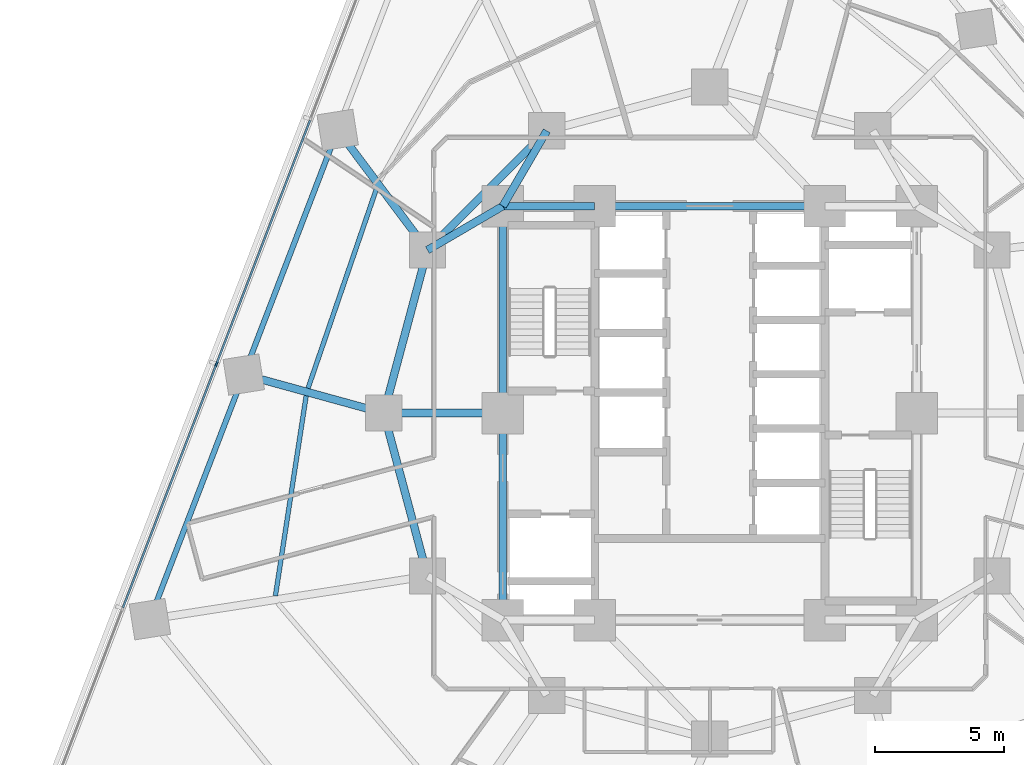
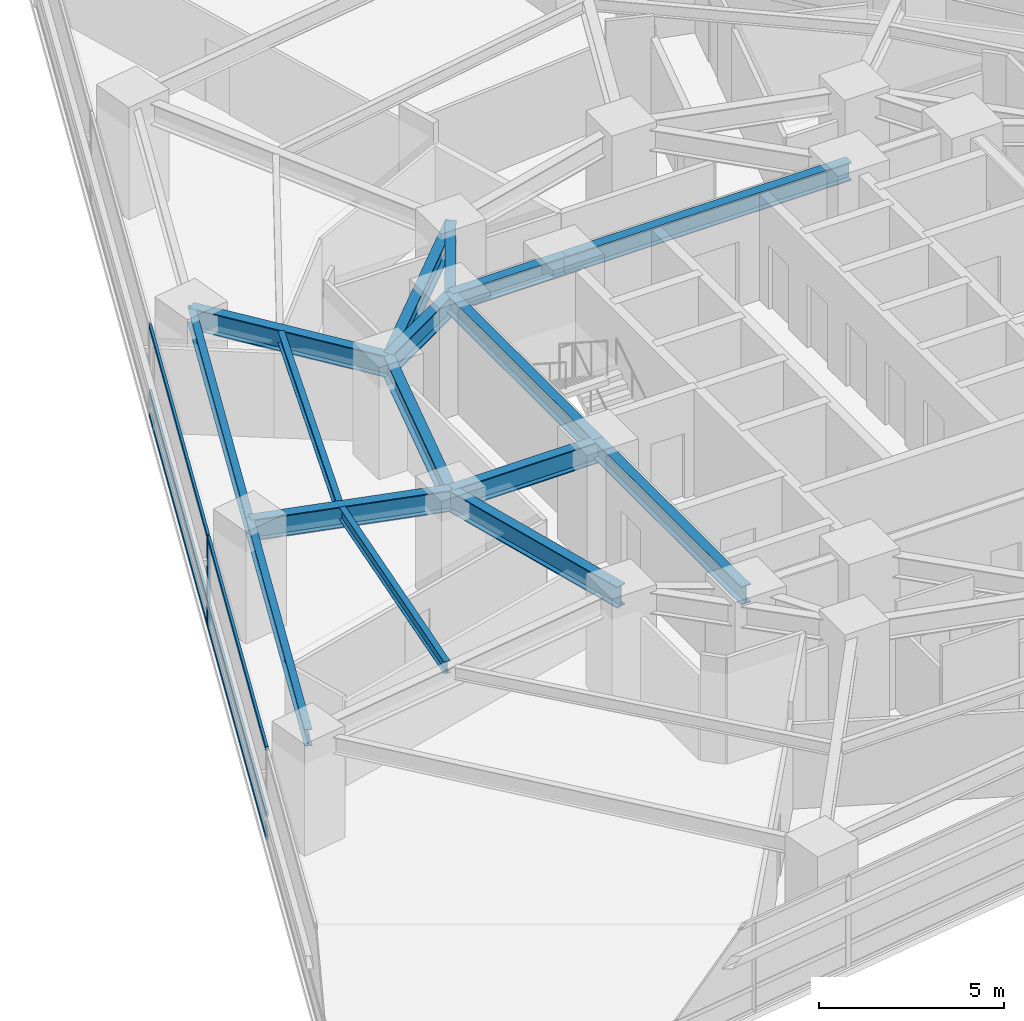
# One storey, part 3 of 13: 16 beams, 7 members, 1 element without a shape of its own.
"""IFC4 building model written with IfcOpenShell, lengths in metres."""

from ifc_helpers import new_model, si_unit, direction, frame, origin, origin_2d, place, context, subcontext, project, spatial, rectangle, i_section, extrude, material, layer, layer_set, material_profile, profile_set, type_object, element, aggregate, save


model = new_model("IFC4")

# Units and contexts
model_context = context("Model", 3, precision=1e-05, world=origin(), true_north=direction((0.0, 1.0)))
body_context = subcontext(model_context, "Body", "Model", "MODEL_VIEW")
ifc_project = project(units=[si_unit("LENGTHUNIT", "METRE"), si_unit("AREAUNIT", "SQUARE_METRE"), si_unit("VOLUMEUNIT", "CUBIC_METRE"), si_unit("PLANEANGLEUNIT", "RADIAN"), si_unit("MASSUNIT", "GRAM", prefix="KILO")], contexts=[model_context])

# Site, building, storey
site_placement = place(None, origin())
site = spatial("IfcSite", under=ifc_project, at=site_placement, CompositionType="ELEMENT")
building_placement = place(site_placement, origin())
building = spatial("IfcBuilding", under=site, at=building_placement, Name="Terralouvre Media Tower", CompositionType="ELEMENT")
storey_placement = place(building_placement, frame((0.0, 0.0, 59.300048828125)))
storey = spatial("IfcBuildingStorey", under=building, at=storey_placement, Name="L14", CompositionType="ELEMENT", Elevation=59.300048828125)

# Beams
ifc_material_1 = material(Name="Structural steel S355J2", Category="steel")
ifc_material_profile_1 = material_profile(ifc_material_1, i_section(OverallWidth=0.179931640625, OverallDepth=0.39990234375, WebThickness=0.008544921875, FlangeThickness=0.013427734375, at=origin_2d()), Name="IPE 400")
ifc_profile_set_1 = profile_set([ifc_material_profile_1], Name="Structural steel S355J2")
beam_type_1 = type_object("IfcBeamType", Name="Composite Floor Joist J-IPE400 (IPE 400)", PredefinedType="JOIST", material=ifc_profile_set_1)
beam_1_placement = place(storey_placement, frame((-12.87841796875, 8.684814453125, 3.300048828125), z_axis=(-0.324414525055, -0.945915015175, 0.0), x_axis=(0.945915015175, -0.324414525055, 0.0)))
element("IfcBeam", 1, at=beam_1_placement, inside=storey, type_object=beam_type_1, Name="L14 Framing Beam JT-L14-11", PredefinedType="JOIST", context=body_context, shape_type="SweptSolid", body=[
    extrude(i_section(OverallWidth=0.179931640625, OverallDepth=0.39990234375, WebThickness=0.008544921875, FlangeThickness=0.013427734375, at=origin_2d()), origin(), (0.0, 0.0, 1.0), 8.165283203125),
])
beam_2_placement = place(storey_placement, frame((-15.598876953125, 0.6708984375, 3.300048828125), z_axis=(-0.152106420826, -0.988364121538, 0.0), x_axis=(0.988364121538, -0.152106420826, 0.0)))
element("IfcBeam", 2, at=beam_2_placement, inside=storey, type_object=beam_type_1, Name="L14 Framing Beam JT-L14-12", PredefinedType="JOIST", context=body_context, shape_type="SweptSolid", body=[
    extrude(i_section(OverallWidth=0.179931640625, OverallDepth=0.39990234375, WebThickness=0.008544921875, FlangeThickness=0.013427734375, at=origin_2d()), origin(), (0.0, 0.0, 1.0), 7.82470703125),
])

# Curtain wall, members
ifc_material_2 = material(Name="Low-iron laminated double glazing with solar-control coating", Category="glass")
ifc_layer = layer(ifc_material_2, 0.1650390625, Name="Lower Media Tower Unitised Curtain Wall CW-02")
ifc_layer_set = layer_set([ifc_layer], Name="Low-iron laminated double glazing with solar-control coating")
curtain_wall_type = type_object("IfcCurtainWallType", Name="Lower Media Tower Unitised Curtain Wall CW-02", PredefinedType="NOTDEFINED", material=ifc_layer_set)
curtain_wall_placement = place(storey_placement, origin())
curtain_wall = element("IfcCurtainWall", 3, at=curtain_wall_placement, inside=storey, type_object=curtain_wall_type, Name="L14 Facade Curtain Wall F2", PredefinedType="NOTDEFINED")
ifc_material_3 = material(Name="Anodised extruded aluminium 6063-T6", Category="aluminium")
ifc_material_profile_2 = material_profile(ifc_material_3, rectangle(XDim=0.074951171875, YDim=0.14990234375, at=origin_2d()), Name="ALU 75x150")
ifc_profile_set_2 = profile_set([ifc_material_profile_2], Name="Anodised extruded aluminium 6063-T6")
member_type_1 = type_object("IfcMemberType", Name="Curtain-Wall Horizontal Transom TR-150", PredefinedType="USERDEFINED", material=ifc_profile_set_2)
member_1_placement = place(storey_placement, frame((-15.449951171875, 11.314697265625, 0.037353515625), z_axis=(-0.358357340084, -0.933584499019, 0.0), x_axis=(0.933584499019, -0.358357340084, 0.0)))
member_1 = element("IfcMember", 4, at=member_1_placement, type_object=member_type_1, Name="CW-02 transom 3.1", ObjectType="TRANSOM", PredefinedType="USERDEFINED", context=body_context, shape_type="SweptSolid", body=[
    extrude(rectangle(XDim=0.074951171875, YDim=0.14990234375, at=origin_2d()), origin(), (0.0, 0.0, 1.0), 10.052978515625),
])
member_2_placement = place(storey_placement, frame((-15.449951171875, 11.314697265625, 0.800048828125), z_axis=(-0.358357340084, -0.933584499019, 0.0), x_axis=(0.933584499019, -0.358357340084, 0.0)))
member_2 = element("IfcMember", 5, at=member_2_placement, type_object=member_type_1, Name="CW-02 transom 3.2", ObjectType="TRANSOM", PredefinedType="USERDEFINED", context=body_context, shape_type="SweptSolid", body=[
    extrude(rectangle(XDim=0.074951171875, YDim=0.14990234375, at=origin_2d()), origin(), (0.0, 0.0, 1.0), 10.052978515625),
])
member_3_placement = place(storey_placement, frame((-15.449951171875, 11.314697265625, 2.96240234375), z_axis=(-0.358357340084, -0.933584499019, 0.0), x_axis=(0.933584499019, -0.358357340084, 0.0)))
member_3 = element("IfcMember", 6, at=member_3_placement, type_object=member_type_1, Name="CW-02 transom 3.3", ObjectType="TRANSOM", PredefinedType="USERDEFINED", context=body_context, shape_type="SweptSolid", body=[
    extrude(rectangle(XDim=0.074951171875, YDim=0.14990234375, at=origin_2d()), origin(), (0.0, 0.0, 1.0), 10.052978515625),
])
member_4_placement = place(storey_placement, frame((-19.079345703125, 1.859375, 0.037353515625), z_axis=(-0.358378506594, -0.933576373957, 0.0), x_axis=(0.933576373957, -0.358378506594, 0.0)))
member_4 = element("IfcMember", 7, at=member_4_placement, type_object=member_type_1, Name="CW-02 transom 4.1", ObjectType="TRANSOM", PredefinedType="USERDEFINED", context=body_context, shape_type="SweptSolid", body=[
    extrude(rectangle(XDim=0.074951171875, YDim=0.14990234375, at=origin_2d()), origin(), (0.0, 0.0, 1.0), 10.052978515625),
])
member_5_placement = place(storey_placement, frame((-19.079345703125, 1.859375, 0.800048828125), z_axis=(-0.358378506594, -0.933576373957, 0.0), x_axis=(0.933576373957, -0.358378506594, 0.0)))
member_5 = element("IfcMember", 8, at=member_5_placement, type_object=member_type_1, Name="CW-02 transom 4.2", ObjectType="TRANSOM", PredefinedType="USERDEFINED", context=body_context, shape_type="SweptSolid", body=[
    extrude(rectangle(XDim=0.074951171875, YDim=0.14990234375, at=origin_2d()), origin(), (0.0, 0.0, 1.0), 10.052978515625),
])
member_6_placement = place(storey_placement, frame((-19.079345703125, 1.859375, 2.96240234375), z_axis=(-0.358378506594, -0.933576373957, 0.0), x_axis=(0.933576373957, -0.358378506594, 0.0)))
member_6 = element("IfcMember", 9, at=member_6_placement, type_object=member_type_1, Name="CW-02 transom 4.3", ObjectType="TRANSOM", PredefinedType="USERDEFINED", context=body_context, shape_type="SweptSolid", body=[
    extrude(rectangle(XDim=0.074951171875, YDim=0.14990234375, at=origin_2d()), origin(), (0.0, 0.0, 1.0), 10.052978515625),
])
ifc_material_4 = material(Name="Anodised extruded aluminium 6063-T6", Category="aluminium")
ifc_material_profile_3 = material_profile(ifc_material_4, rectangle(XDim=0.074951171875, YDim=0.179931640625, at=origin_2d()), Name="ALU 75x180")
ifc_profile_set_3 = profile_set([ifc_material_profile_3], Name="Anodised extruded aluminium 6063-T6")
member_type_2 = type_object("IfcMemberType", Name="Curtain-Wall Vertical Mullion ML-180", PredefinedType="MULLION", material=ifc_profile_set_3)
member_7_placement = place(storey_placement, frame((-19.06591796875, 1.89453125, 0.0), z_axis=(0.0, 0.0, 1.0), x_axis=(0.933580438988, -0.358367917006, 0.0)))
member_7 = element("IfcMember", 10, at=member_7_placement, type_object=member_type_2, Name="CW-02 mullion 4", PredefinedType="MULLION", context=body_context, shape_type="SweptSolid", body=[
    extrude(rectangle(XDim=0.074951171875, YDim=0.179931640625, at=origin_2d()), origin(), (0.0, 0.0, 1.0), 3.0),
])
aggregate(curtain_wall, [member_7, member_1, member_2, member_3, member_4, member_5, member_6])

# Beams
ifc_material_5 = material(Name="Structural steel S355J2", Category="steel")
ifc_material_profile_4 = material_profile(ifc_material_5, i_section(OverallWidth=0.2099609375, OverallDepth=0.550048828125, WebThickness=0.010986328125, FlangeThickness=0.01708984375, at=origin_2d()), Name="IPE 550")
ifc_profile_set_4 = profile_set([ifc_material_profile_4], Name="Structural steel S355J2")
beam_type_2 = type_object("IfcBeamType", Name="Perimeter Spandrel Beam SPB-550 (IPE 550)", PredefinedType="SPANDREL", material=ifc_profile_set_4)
for number, where, z_axis, x_axis, name in (
    (11, (-14.38134765625, 10.94482421875, 3.224853515625), (-0.358374878229, -0.933577766795, 0.0), (0.933577766795, -0.358374878229, 0.0), "L14 Framing Beam BM-L14-PR11"),
    (12, (-18.010986328125, 1.489501953125, 3.224853515625), (-0.358374878229, -0.933577766795, 0.0), (0.933577766795, -0.358374878229, 0.0), "L14 Framing Beam BM-L14-PR12"),
):
    element("IfcBeam", number, at=place(storey_placement, frame(where, z_axis=z_axis, x_axis=x_axis)), inside=storey, type_object=beam_type_2, Name=name, PredefinedType="SPANDREL", context=body_context, shape_type="SweptSolid", body=[
        extrude(i_section(OverallWidth=0.2099609375, OverallDepth=0.550048828125, WebThickness=0.010986328125, FlangeThickness=0.01708984375, at=origin_2d()), origin(), (0.0, 0.0, 1.0), 10.1279296875),
    ])
ifc_material_6 = material(Name="Structural steel S460M", Category="steel")
ifc_material_profile_5 = material_profile(ifc_material_6, i_section(OverallWidth=0.300048828125, OverallDepth=0.60009765625, WebThickness=0.015380859375, FlangeThickness=0.030029296875, at=origin_2d()), Name="HEB 600")
ifc_profile_set_5 = profile_set([ifc_material_profile_5], Name="Structural steel S460M")
beam_type_3 = type_object("IfcBeamType", Name="Primary Floor Girder B-HEB600 (HEB 600)", PredefinedType="BEAM", material=ifc_profile_set_5)
beam_3_placement = place(storey_placement, frame((4.449951171875, 8.0, 3.199951171875), z_axis=(-1.0, 0.0, 0.0), x_axis=(0.0, -1.0, 0.0)))
element("IfcBeam", 13, at=beam_3_placement, inside=storey, type_object=beam_type_3, Name="L14 Framing Beam BM-L14-CPR07", PredefinedType="BEAM", context=body_context, shape_type="SweptSolid", body=[
    extrude(i_section(OverallWidth=0.300048828125, OverallDepth=0.60009765625, WebThickness=0.015380859375, FlangeThickness=0.030029296875, at=origin_2d()), origin(), (0.0, 0.0, 1.0), 8.89990234375),
])
beam_4_placement = place(storey_placement, frame((-4.449951171875, 8.0, 3.199951171875), z_axis=(-1.0, 0.0, 0.0), x_axis=(0.0, -1.0, 0.0)))
element("IfcBeam", 14, at=beam_4_placement, inside=storey, type_object=beam_type_3, Name="L14 Framing Beam BM-L14-CPR08", PredefinedType="BEAM", context=body_context, shape_type="SweptSolid", body=[
    extrude(i_section(OverallWidth=0.300048828125, OverallDepth=0.60009765625, WebThickness=0.015380859375, FlangeThickness=0.030029296875, at=origin_2d()), origin(), (0.0, 0.0, 1.0), 3.550048828125),
])
for number, where, z_axis, x_axis, name in (
    (15, (-8.0, 8.0, 3.199951171875), (0.0, -1.0, 0.0), (1.0, 0.0, 0.0), "L14 Framing Beam BM-L14-CPR09"),
    (16, (-8.0, 0.0, 3.199951171875), (0.0, -1.0, 0.0), (1.0, 0.0, 0.0), "L14 Framing Beam BM-L14-CPR10"),
):
    element("IfcBeam", number, at=place(storey_placement, frame(where, z_axis=z_axis, x_axis=x_axis)), inside=storey, type_object=beam_type_3, Name=name, PredefinedType="BEAM", context=body_context, shape_type="SweptSolid", body=[
        extrude(i_section(OverallWidth=0.300048828125, OverallDepth=0.60009765625, WebThickness=0.015380859375, FlangeThickness=0.030029296875, at=origin_2d()), origin(), (0.0, 0.0, 1.0), 8.0),
    ])
ifc_material_7 = material(Name="Structural steel S460M", Category="steel")
ifc_material_profile_6 = material_profile(ifc_material_7, i_section(OverallWidth=0.300048828125, OverallDepth=0.699951171875, WebThickness=0.01708984375, FlangeThickness=0.031982421875, at=origin_2d()), Name="HEB 700")
ifc_profile_set_6 = profile_set([ifc_material_profile_6], Name="Structural steel S460M")
beam_type_4 = type_object("IfcBeamType", Name="Primary Floor Girder B-HEB700 (HEB 700)", PredefinedType="BEAM", material=ifc_profile_set_6)
beam_5_placement = place(storey_placement, frame((-6.300048828125, 10.911865234375, 3.14990234375), z_axis=(-0.707106781187, -0.707106781187, 0.0), x_axis=(0.707106781187, -0.707106781187, 0.0)))
element("IfcBeam", 17, at=beam_5_placement, inside=storey, type_object=beam_type_4, Name="L14 Framing Beam BM-L14-MR10", PredefinedType="BEAM", context=body_context, shape_type="SweptSolid", body=[
    extrude(i_section(OverallWidth=0.300048828125, OverallDepth=0.699951171875, WebThickness=0.01708984375, FlangeThickness=0.031982421875, at=origin_2d()), origin(), (0.0, 0.0, 1.0), 6.52197265625),
])
for number, where, z_axis, x_axis, name in (
    (18, (-10.911865234375, 6.300048828125, 3.14990234375), (-0.258838989821, -0.965920481897, 0.0), (0.965920481897, -0.258838989821, 0.0), "L14 Framing Beam BM-L14-MR11"),
    (19, (-12.60009765625, 0.0, 3.14990234375), (0.258838989821, -0.965920481897, 0.0), (0.965920481897, 0.258838989821, 0.0), "L14 Framing Beam BM-L14-MR12"),
):
    element("IfcBeam", number, at=place(storey_placement, frame(where, z_axis=z_axis, x_axis=x_axis)), inside=storey, type_object=beam_type_4, Name=name, PredefinedType="BEAM", context=body_context, shape_type="SweptSolid", body=[
        extrude(i_section(OverallWidth=0.300048828125, OverallDepth=0.699951171875, WebThickness=0.01708984375, FlangeThickness=0.031982421875, at=origin_2d()), origin(), (0.0, 0.0, 1.0), 6.522216796875),
    ])
for number, where, z_axis, x_axis, name in (
    (20, (-8.0, 8.0, 3.14990234375), (0.504172629717, 0.863602894532, 0.0), (-0.863602894532, 0.504172629717, 0.0), "L14 Framing Beam BM-L14-CM10"),
    (21, (-8.0, 8.0, 3.14990234375), (-0.863602894532, -0.504172629717, 0.0), (0.504172629717, -0.863602894532, 0.0), "L14 Framing Beam BM-L14-CM11"),
):
    element("IfcBeam", number, at=place(storey_placement, frame(where, z_axis=z_axis, x_axis=x_axis)), inside=storey, type_object=beam_type_4, Name=name, PredefinedType="BEAM", context=body_context, shape_type="SweptSolid", body=[
        extrude(i_section(OverallWidth=0.300048828125, OverallDepth=0.699951171875, WebThickness=0.01708984375, FlangeThickness=0.031982421875, at=origin_2d()), origin(), (0.0, 0.0, 1.0), 3.371826171875),
    ])
beam_6_placement = place(storey_placement, frame((-8.0, 0.0, 3.14990234375), z_axis=(-1.0, 0.0, 0.0), x_axis=(0.0, -1.0, 0.0)))
element("IfcBeam", 22, at=beam_6_placement, inside=storey, type_object=beam_type_4, Name="L14 Framing Beam BM-L14-CM12", PredefinedType="BEAM", context=body_context, shape_type="SweptSolid", body=[
    extrude(i_section(OverallWidth=0.300048828125, OverallDepth=0.699951171875, WebThickness=0.01708984375, FlangeThickness=0.031982421875, at=origin_2d()), origin(), (0.0, 0.0, 1.0), 4.60009765625),
])
beam_7_placement = place(storey_placement, frame((-10.911865234375, 6.300048828125, 3.14990234375), z_axis=(-0.598442434067, 0.801165808749, 0.0), x_axis=(-0.801165808749, -0.598442434067, 0.0)))
element("IfcBeam", 23, at=beam_7_placement, inside=storey, type_object=beam_type_4, Name="L14 Framing Beam BM-L14-RD11", PredefinedType="BEAM", context=body_context, shape_type="SweptSolid", body=[
    extrude(i_section(OverallWidth=0.300048828125, OverallDepth=0.699951171875, WebThickness=0.01708984375, FlangeThickness=0.031982421875, at=origin_2d()), origin(), (0.0, 0.0, 1.0), 5.797607421875),
])
beam_8_placement = place(storey_placement, frame((-12.60009765625, 0.0, 3.14990234375), z_axis=(-0.964136682273, 0.265406212992, 0.0), x_axis=(-0.265406212992, -0.964136682273, 0.0)))
element("IfcBeam", 24, at=beam_8_placement, inside=storey, type_object=beam_type_4, Name="L14 Framing Beam BM-L14-RD12", PredefinedType="BEAM", context=body_context, shape_type="SweptSolid", body=[
    extrude(i_section(OverallWidth=0.300048828125, OverallDepth=0.699951171875, WebThickness=0.01708984375, FlangeThickness=0.031982421875, at=origin_2d()), origin(), (0.0, 0.0, 1.0), 5.612060546875),
])

save(model, "model.ifc")
